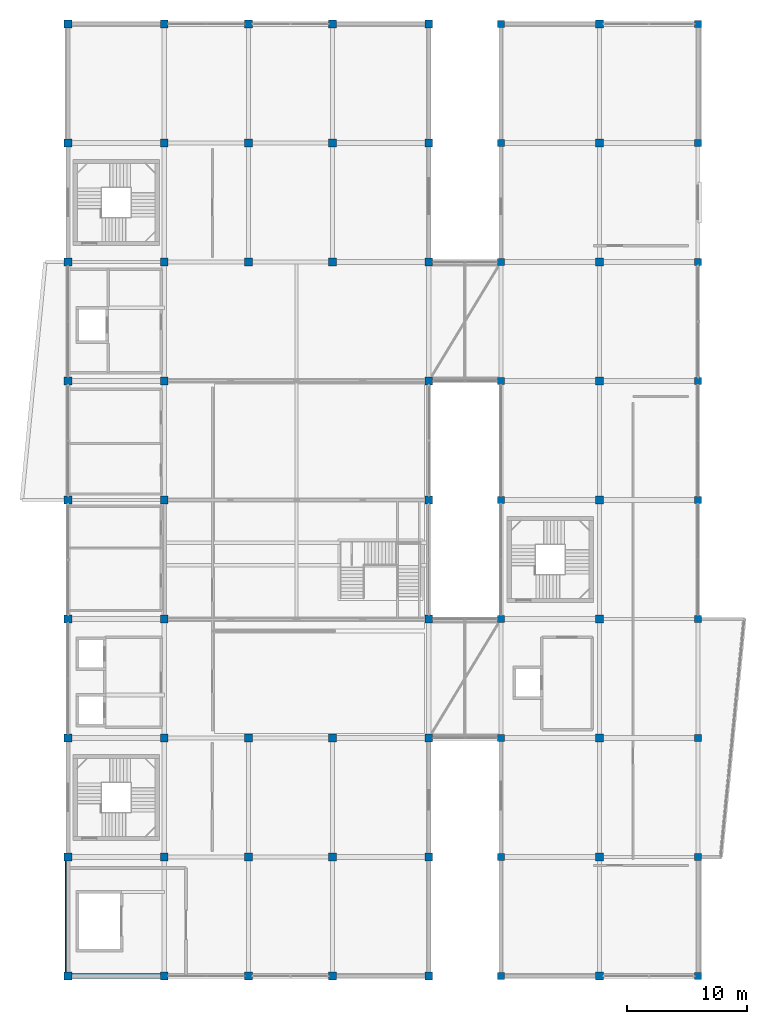
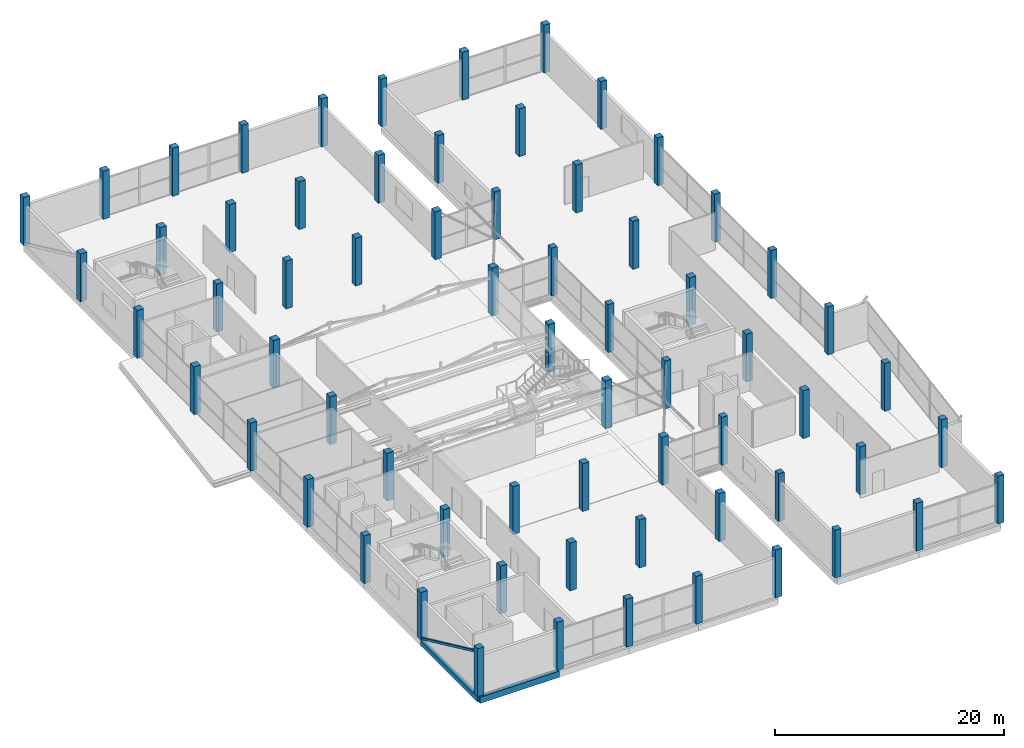
# One storey, part 1 of 66: 66 columns, 2 beams, 1 member.
"""IFC4 building model written with IfcOpenShell, lengths in metres."""

from ifc_helpers import new_model, si_unit, direction, frame, origin, origin_2d, place, context, subcontext, project, spatial, rectangle, hollow_rectangle, extrude, material, material_profile, profile_set, type_object, element, save


model = new_model("IFC4")

# Units and contexts
model_context = context("Model", 3, precision=1e-05, world=origin(), true_north=direction((0.0, 1.0)))
body_context = subcontext(model_context, "Body", "Model", "MODEL_VIEW")
ifc_project = project(units=[si_unit("LENGTHUNIT", "METRE"), si_unit("AREAUNIT", "SQUARE_METRE"), si_unit("VOLUMEUNIT", "CUBIC_METRE"), si_unit("PLANEANGLEUNIT", "RADIAN"), si_unit("MASSUNIT", "GRAM", prefix="KILO")], contexts=[model_context])

# Site, building, storey
site_placement = place(None, origin())
site = spatial("IfcSite", under=ifc_project, at=site_placement, CompositionType="ELEMENT")
building_placement = place(site_placement, origin())
building = spatial("IfcBuilding", under=site, at=building_placement, Name="Sillaruma Civic Art Gallery", CompositionType="ELEMENT")
storey_placement = place(building_placement, frame((0.0, 0.0, 57.1201171875)))
storey = spatial("IfcBuildingStorey", under=building, at=storey_placement, Name="L11", CompositionType="ELEMENT", Elevation=57.1201171875)

# Columns
ifc_material_1 = material(Name="Concrete H40 (40 MPa)", Category="concrete")
ifc_material_profile_1 = material_profile(ifc_material_1, rectangle(XDim=0.60009765625, YDim=0.60009765625, at=origin_2d()), Name="RC600x600")
ifc_profile_set_1 = profile_set([ifc_material_profile_1], Name="Concrete H40 (40 MPa)")
column_type_1 = type_object("IfcColumnType", Name="COL-COLUMN-RC600x600", PredefinedType="COLUMN", material=ifc_profile_set_1)
for number, where, z_axis, x_axis, name in (
    (1, (98.0, 19.800048828125, 0.0), (0.0, 0.0, 1.0), (1.0, 0.0, 0.0), "Column C-08 (L11:L3)"),
    (2, (98.0, 29.699951171875, 0.0), (0.0, 0.0, 1.0), (1.0, 0.0, 0.0), "Column C-08 (L11:L4)"),
    (3, (98.0, 39.60009765625, 0.0), (0.0, 0.0, 1.0), (1.0, 0.0, 0.0), "Column C-08 (L11:L5)"),
    (4, (98.0, 49.5, 0.0), (0.0, 0.0, 1.0), (1.0, 0.0, 0.0), "Column C-08 (L11:L6)"),
    (5, (98.0, 59.39990234375, 0.0), (0.0, 0.0, 1.0), (1.0, 0.0, 0.0), "Column C-08 (L11:L7)"),
    (6, (98.0, 69.300048828125, 0.0), (0.0, 0.0, 1.0), (1.0, 0.0, 0.0), "Column C-08 (L11:L8)"),
    (7, (98.0, 79.199951171875, 0.0), (0.0, 0.0, 1.0), (1.0, 0.0, 0.0), "Column C-08 (L11:L9)"),
    (8, (98.0, 89.10009765625, 0.0), (0.0, 0.0, 1.0), (1.0, 0.0, 0.0), "Column C-08 (L11:L10)"),
    (9, (98.0, 99.0, 0.0), (0.0, 0.0, 1.0), (1.0, 0.0, 0.0), "Column C-08 (L11:L11)"),
    (10, (114.39990234375, 19.800048828125, 0.0), (0.0, 0.0, 1.0), (1.0, 0.0, 0.0), "Column C-08 (L11:N3)"),
    (11, (114.39990234375, 29.699951171875, 0.0), (0.0, 0.0, 1.0), (1.0, 0.0, 0.0), "Column C-08 (L11:N4)"),
    (12, (114.39990234375, 39.60009765625, 0.0), (0.0, 0.0, 1.0), (1.0, 0.0, 0.0), "Column C-08 (L11:N5)"),
    (13, (114.39990234375, 49.5, 0.0), (0.0, 0.0, 1.0), (1.0, 0.0, 0.0), "Column C-08 (L11:N6)"),
    (14, (114.39990234375, 59.39990234375, 0.0), (0.0, 0.0, 1.0), (1.0, 0.0, 0.0), "Column C-08 (L11:N7)"),
    (15, (114.39990234375, 69.300048828125, 0.0), (0.0, 0.0, 1.0), (1.0, 0.0, 0.0), "Column C-08 (L11:N8)"),
    (16, (114.39990234375, 79.199951171875, 0.0), (0.0, 0.0, 1.0), (1.0, 0.0, 0.0), "Column C-08 (L11:N9)"),
    (17, (114.39990234375, 89.10009765625, 0.0), (0.0, 0.0, 1.0), (1.0, 0.0, 0.0), "Column C-08 (L11:N10)"),
    (18, (114.39990234375, 99.0, 0.0), (0.0, 0.0, 1.0), (1.0, 0.0, 0.0), "Column C-08 (L11:N11)"),
):
    element("IfcColumn", number, at=place(storey_placement, frame(where, z_axis=z_axis, x_axis=x_axis)), inside=storey, type_object=column_type_1, Name=name, PredefinedType="COLUMN", context=body_context, shape_type="SweptSolid", body=[
        extrude(rectangle(XDim=0.60009765625, YDim=0.60009765625, at=origin_2d()), origin(), (0.0, 0.0, 1.0), 5.099853515625),
    ])
ifc_material_profile_2 = material_profile(ifc_material_1, rectangle(XDim=0.64990234375, YDim=0.64990234375, at=origin_2d()), Name="RC650x650")
ifc_profile_set_2 = profile_set([ifc_material_profile_2], Name="Concrete H40 (40 MPa)")
column_type_2 = type_object("IfcColumnType", Name="COL-COLUMN-RC650x650", PredefinedType="COLUMN", material=ifc_profile_set_2)
for number, where, z_axis, x_axis, name in (
    (19, (62.0, 19.800048828125, 0.0), (0.0, 0.0, 1.0), (1.0, 0.0, 0.0), "Column C-07 (L11:F3)"),
    (20, (62.0, 29.699951171875, 0.0), (0.0, 0.0, 1.0), (1.0, 0.0, 0.0), "Column C-07 (L11:F4)"),
    (21, (62.0, 39.60009765625, 0.0), (0.0, 0.0, 1.0), (1.0, 0.0, 0.0), "Column C-07 (L11:F5)"),
    (22, (62.0, 49.5, 0.0), (0.0, 0.0, 1.0), (1.0, 0.0, 0.0), "Column C-07 (L11:F6)"),
    (23, (62.0, 59.39990234375, 0.0), (0.0, 0.0, 1.0), (1.0, 0.0, 0.0), "Column C-07 (L11:F7)"),
    (24, (62.0, 69.300048828125, 0.0), (0.0, 0.0, 1.0), (1.0, 0.0, 0.0), "Column C-07 (L11:F8)"),
    (25, (62.0, 79.199951171875, 0.0), (0.0, 0.0, 1.0), (1.0, 0.0, 0.0), "Column C-07 (L11:F9)"),
    (26, (62.0, 89.10009765625, 0.0), (0.0, 0.0, 1.0), (1.0, 0.0, 0.0), "Column C-07 (L11:F10)"),
    (27, (62.0, 99.0, 0.0), (0.0, 0.0, 1.0), (1.0, 0.0, 0.0), "Column C-07 (L11:F11)"),
    (28, (70.0, 19.800048828125, 0.0), (0.0, 0.0, 1.0), (1.0, 0.0, 0.0), "Column C-07 (L11:G3)"),
    (29, (70.0, 29.699951171875, 0.0), (0.0, 0.0, 1.0), (1.0, 0.0, 0.0), "Column C-07 (L11:G4)"),
    (30, (70.0, 39.60009765625, 0.0), (0.0, 0.0, 1.0), (1.0, 0.0, 0.0), "Column C-07 (L11:G5)"),
    (31, (70.0, 49.5, 0.0), (0.0, 0.0, 1.0), (1.0, 0.0, 0.0), "Column C-07 (L11:G6)"),
    (32, (70.0, 59.39990234375, 0.0), (0.0, 0.0, 1.0), (1.0, 0.0, 0.0), "Column C-07 (L11:G7)"),
    (33, (70.0, 69.300048828125, 0.0), (0.0, 0.0, 1.0), (1.0, 0.0, 0.0), "Column C-07 (L11:G8)"),
    (34, (70.0, 79.199951171875, 0.0), (0.0, 0.0, 1.0), (1.0, 0.0, 0.0), "Column C-07 (L11:G9)"),
    (35, (70.0, 89.10009765625, 0.0), (0.0, 0.0, 1.0), (1.0, 0.0, 0.0), "Column C-07 (L11:G10)"),
    (36, (70.0, 99.0, 0.0), (0.0, 0.0, 1.0), (1.0, 0.0, 0.0), "Column C-07 (L11:G11)"),
    (37, (77.0, 19.800048828125, 0.0), (0.0, 0.0, 1.0), (1.0, 0.0, 0.0), "Column C-07 (L11:H3)"),
    (38, (77.0, 29.699951171875, 0.0), (0.0, 0.0, 1.0), (1.0, 0.0, 0.0), "Column C-07 (L11:H4)"),
    (39, (77.0, 39.60009765625, 0.0), (0.0, 0.0, 1.0), (1.0, 0.0, 0.0), "Column C-07 (L11:H5)"),
    (40, (77.0, 79.199951171875, 0.0), (0.0, 0.0, 1.0), (1.0, 0.0, 0.0), "Column C-07 (L11:H9)"),
    (41, (77.0, 89.10009765625, 0.0), (0.0, 0.0, 1.0), (1.0, 0.0, 0.0), "Column C-07 (L11:H10)"),
    (42, (77.0, 99.0, 0.0), (0.0, 0.0, 1.0), (1.0, 0.0, 0.0), "Column C-07 (L11:H11)"),
    (43, (84.0, 19.800048828125, 0.0), (0.0, 0.0, 1.0), (1.0, 0.0, 0.0), "Column C-07 (L11:J3)"),
    (44, (84.0, 29.699951171875, 0.0), (0.0, 0.0, 1.0), (1.0, 0.0, 0.0), "Column C-07 (L11:J4)"),
    (45, (84.0, 39.60009765625, 0.0), (0.0, 0.0, 1.0), (1.0, 0.0, 0.0), "Column C-07 (L11:J5)"),
    (46, (84.0, 79.199951171875, 0.0), (0.0, 0.0, 1.0), (1.0, 0.0, 0.0), "Column C-07 (L11:J9)"),
    (47, (84.0, 89.10009765625, 0.0), (0.0, 0.0, 1.0), (1.0, 0.0, 0.0), "Column C-07 (L11:J10)"),
    (48, (84.0, 99.0, 0.0), (0.0, 0.0, 1.0), (1.0, 0.0, 0.0), "Column C-07 (L11:J11)"),
    (49, (92.0, 19.800048828125, 0.0), (0.0, 0.0, 1.0), (1.0, 0.0, 0.0), "Column C-07 (L11:K3)"),
    (50, (92.0, 29.699951171875, 0.0), (0.0, 0.0, 1.0), (1.0, 0.0, 0.0), "Column C-07 (L11:K4)"),
    (51, (92.0, 39.60009765625, 0.0), (0.0, 0.0, 1.0), (1.0, 0.0, 0.0), "Column C-07 (L11:K5)"),
    (52, (92.0, 49.5, 0.0), (0.0, 0.0, 1.0), (1.0, 0.0, 0.0), "Column C-07 (L11:K6)"),
    (53, (92.0, 59.39990234375, 0.0), (0.0, 0.0, 1.0), (1.0, 0.0, 0.0), "Column C-07 (L11:K7)"),
    (54, (92.0, 69.300048828125, 0.0), (0.0, 0.0, 1.0), (1.0, 0.0, 0.0), "Column C-07 (L11:K8)"),
    (55, (92.0, 79.199951171875, 0.0), (0.0, 0.0, 1.0), (1.0, 0.0, 0.0), "Column C-07 (L11:K9)"),
    (56, (92.0, 89.10009765625, 0.0), (0.0, 0.0, 1.0), (1.0, 0.0, 0.0), "Column C-07 (L11:K10)"),
    (57, (92.0, 99.0, 0.0), (0.0, 0.0, 1.0), (1.0, 0.0, 0.0), "Column C-07 (L11:K11)"),
    (58, (106.199951171875, 19.800048828125, 0.0), (0.0, 0.0, 1.0), (1.0, 0.0, 0.0), "Column C-07 (L11:M3)"),
    (59, (106.199951171875, 29.699951171875, 0.0), (0.0, 0.0, 1.0), (1.0, 0.0, 0.0), "Column C-07 (L11:M4)"),
    (60, (106.199951171875, 39.60009765625, 0.0), (0.0, 0.0, 1.0), (1.0, 0.0, 0.0), "Column C-07 (L11:M5)"),
    (61, (106.199951171875, 49.5, 0.0), (0.0, 0.0, 1.0), (1.0, 0.0, 0.0), "Column C-07 (L11:M6)"),
    (62, (106.199951171875, 59.39990234375, 0.0), (0.0, 0.0, 1.0), (1.0, 0.0, 0.0), "Column C-07 (L11:M7)"),
    (63, (106.199951171875, 69.300048828125, 0.0), (0.0, 0.0, 1.0), (1.0, 0.0, 0.0), "Column C-07 (L11:M8)"),
    (64, (106.199951171875, 79.199951171875, 0.0), (0.0, 0.0, 1.0), (1.0, 0.0, 0.0), "Column C-07 (L11:M9)"),
    (65, (106.199951171875, 89.10009765625, 0.0), (0.0, 0.0, 1.0), (1.0, 0.0, 0.0), "Column C-07 (L11:M10)"),
    (66, (106.199951171875, 99.0, 0.0), (0.0, 0.0, 1.0), (1.0, 0.0, 0.0), "Column C-07 (L11:M11)"),
):
    element("IfcColumn", number, at=place(storey_placement, frame(where, z_axis=z_axis, x_axis=x_axis)), inside=storey, type_object=column_type_2, Name=name, PredefinedType="COLUMN", context=body_context, shape_type="SweptSolid", body=[
        extrude(rectangle(XDim=0.64990234375, YDim=0.64990234375, at=origin_2d()), origin(), (0.0, 0.0, 1.0), 5.099853515625),
    ])

# Beams
ifc_material_2 = material(Name="Concrete H35 (35 MPa)", Category="concrete")
ifc_material_profile_3 = material_profile(ifc_material_2, rectangle(XDim=0.35009765625, YDim=0.550048828125, at=origin_2d()), Name="RCB350x550")
ifc_profile_set_3 = profile_set([ifc_material_profile_3], Name="Concrete H35 (35 MPa)")
beam_type_1 = type_object("IfcBeamType", Name="BM-SPANDREL-RCB350x550", PredefinedType="SPANDREL", material=ifc_profile_set_3)
beam_1_placement = place(storey_placement, frame((62.0, 19.800048828125, -0.525146484375), z_axis=(0.0, 1.0, 0.0), x_axis=(-1.0, 0.0, 0.0)))
element("IfcBeam", 67, at=beam_1_placement, inside=storey, type_object=beam_type_1, Name="Beam BS-04 (L10:F:3-4)", PredefinedType="SPANDREL", context=body_context, shape_type="SweptSolid", body=[
    extrude(rectangle(XDim=0.35009765625, YDim=0.550048828125, at=origin_2d()), origin(), (0.0, 0.0, 1.0), 9.89990234375),
])
ifc_material_profile_4 = material_profile(ifc_material_2, rectangle(XDim=0.39990234375, YDim=0.64990234375, at=origin_2d()), Name="RCB400x650")
ifc_profile_set_4 = profile_set([ifc_material_profile_4], Name="Concrete H35 (35 MPa)")
beam_type_2 = type_object("IfcBeamType", Name="BM-SPANDREL-RCB400x650", PredefinedType="SPANDREL", material=ifc_profile_set_4)
beam_2_placement = place(storey_placement, frame((62.0, 19.800048828125, -0.5751953125), z_axis=(1.0, 0.0, 0.0), x_axis=(0.0, 1.0, 0.0)))
element("IfcBeam", 68, at=beam_2_placement, inside=storey, type_object=beam_type_2, Name="Beam BS-02 (L10:3:F-G)", PredefinedType="SPANDREL", context=body_context, shape_type="SweptSolid", body=[
    extrude(rectangle(XDim=0.39990234375, YDim=0.64990234375, at=origin_2d()), origin(), (0.0, 0.0, 1.0), 8.0),
])

# Member
ifc_material_3 = material(Name="Structural Steel ASTM A500 Gr.C", Category="steel")
ifc_material_profile_5 = material_profile(ifc_material_3, hollow_rectangle(XDim=0.25, YDim=0.25, WallThickness=0.012451171875, InnerFilletRadius=0.012451171875, OuterFilletRadius=0.02490234375, at=origin_2d()), Name="HSS250x250x12.5")
ifc_profile_set_5 = profile_set([ifc_material_profile_5], Name="Structural Steel ASTM A500 Gr.C")
member_type = type_object("IfcMemberType", Name="MEM-MEGA-BRACE", PredefinedType="BRACE", material=ifc_profile_set_5)
member_placement = place(storey_placement, frame((61.85009765625, 29.52001953125, 0.099853515625), z_axis=(0.0, -0.907349492377, 0.420377091053), x_axis=(1.0, 0.0, 0.0)))
element("IfcMember", 69, at=member_placement, inside=storey, type_object=member_type, Name="Exterior Expressed Gallery Seismic Diagonal Brace (L11-WS)", PredefinedType="BRACE", context=body_context, shape_type="SweptSolid", body=[
    extrude(hollow_rectangle(XDim=0.25, YDim=0.25, WallThickness=0.012451171875, InnerFilletRadius=0.012451171875, OuterFilletRadius=0.02490234375, at=origin_2d()), origin(), (0.0, 0.0, 1.0), 10.51416015625),
])

save(model, "model.ifc")
